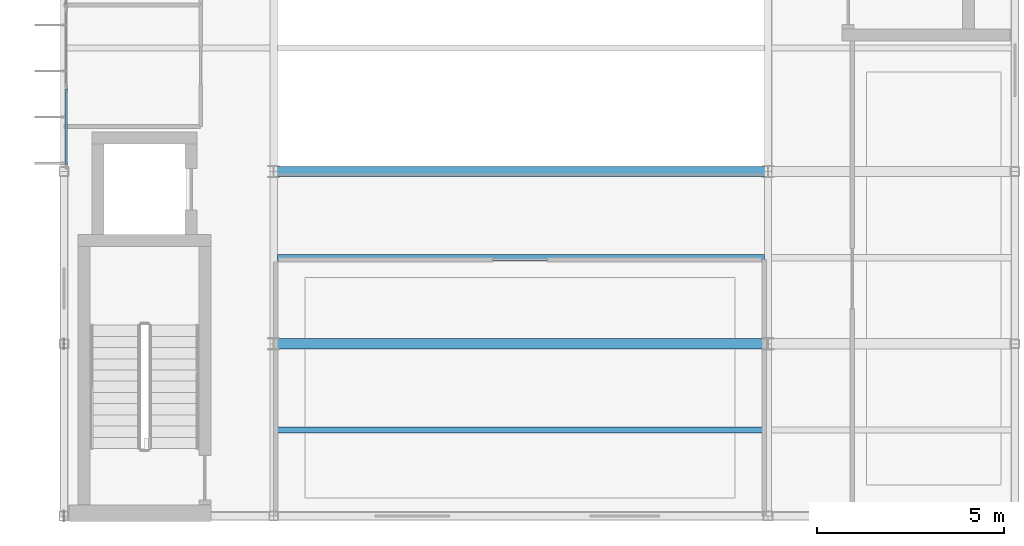
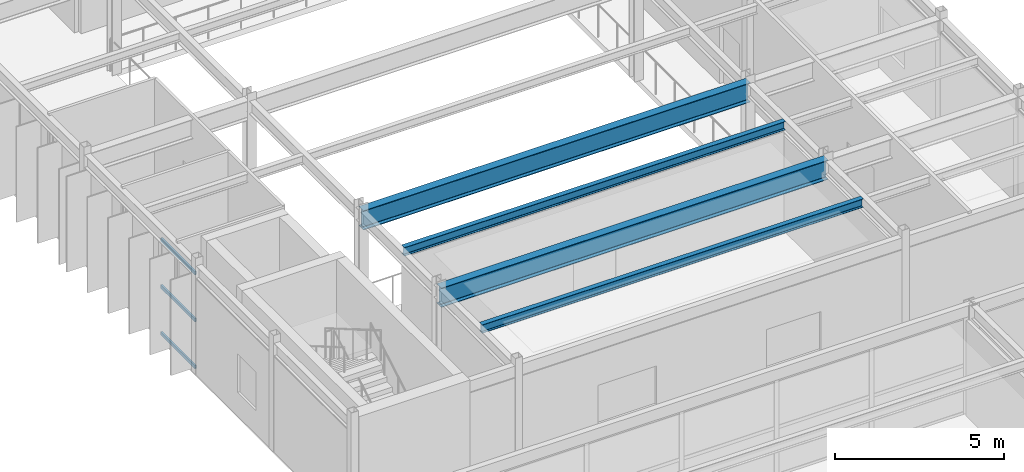
# One storey, part 33 of 147: 4 beams, 3 members, 1 element without a shape of its own.
"""IFC4 building model written with IfcOpenShell, lengths in metres."""

from ifc_helpers import new_model, si_unit, direction, frame, origin, origin_2d, place, context, subcontext, project, spatial, hollow_rectangle, i_section, extrude, material, material_profile, profile_set, type_object, element, aggregate, save


model = new_model("IFC4")

# Units and contexts
model_context = context("Model", 3, precision=1e-05, world=origin(), true_north=direction((0.0, 1.0)))
body_context = subcontext(model_context, "Body", "Model", "MODEL_VIEW")
ifc_project = project(units=[si_unit("LENGTHUNIT", "METRE"), si_unit("AREAUNIT", "SQUARE_METRE"), si_unit("VOLUMEUNIT", "CUBIC_METRE"), si_unit("PLANEANGLEUNIT", "RADIAN"), si_unit("MASSUNIT", "GRAM", prefix="KILO")], contexts=[model_context])

# Site, building, storey
site_placement = place(None, origin())
site = spatial("IfcSite", under=ifc_project, at=site_placement, CompositionType="ELEMENT")
building_placement = place(site_placement, origin())
building = spatial("IfcBuilding", under=site, at=building_placement, Name="Karori Crest Natural Sciences Institute", CompositionType="ELEMENT")
storey_placement = place(building_placement, frame((0.0, 0.0, 9.10009765625)))
storey = spatial("IfcBuildingStorey", under=building, at=storey_placement, Name="L02", CompositionType="ELEMENT", Elevation=9.10009765625)

# Beams
ifc_material_1 = material(Name="Structural steel AS/NZS 3679.1 Grade 350", Category="steel")
ifc_material_profile_1 = material_profile(ifc_material_1, i_section(OverallWidth=0.27490234375, OverallDepth=0.699951171875, WebThickness=0.010009765625, FlangeThickness=0.02001953125, FilletRadius=0.013916015625, at=origin_2d()), Name="700WB150")
ifc_profile_set_1 = profile_set([ifc_material_profile_1], Name="Structural steel AS/NZS 3679.1 Grade 350")
beam_type_1 = type_object("IfcBeamType", Name="BT-03", PredefinedType="BEAM", material=ifc_profile_set_1)
for number, where, z_axis, x_axis, name in (
    (1, (7.39990234375, 35.800048828125, 3.56982421875), (1.0, 0.0, 0.0), (0.0, 1.0, 0.0), "Beam B-1079"),
    (2, (7.39990234375, 40.39990234375, 3.56982421875), (1.0, 0.0, 0.0), (0.0, 1.0, 0.0), "Beam B-1081"),
):
    element("IfcBeam", number, at=place(storey_placement, frame(where, z_axis=z_axis, x_axis=x_axis)), inside=storey, type_object=beam_type_1, Name=name, PredefinedType="BEAM", context=body_context, shape_type="SweptSolid", body=[
        extrude(i_section(OverallWidth=0.27490234375, OverallDepth=0.699951171875, WebThickness=0.010009765625, FlangeThickness=0.02001953125, FilletRadius=0.013916015625, at=origin_2d()), origin(), (0.0, 0.0, 1.0), 13.2001953125),
    ])
ifc_material_profile_2 = material_profile(ifc_material_1, i_section(OverallWidth=0.166015625, OverallDepth=0.306884765625, WebThickness=0.006591796875, FlangeThickness=0.01171875, FilletRadius=0.010986328125, at=origin_2d()), Name="310UB46.2")
ifc_profile_set_2 = profile_set([ifc_material_profile_2], Name="Structural steel AS/NZS 3679.1 Grade 350")
beam_type_2 = type_object("IfcBeamType", Name="BT-09", PredefinedType="BEAM", material=ifc_profile_set_2)
for number, where, z_axis, x_axis, name in (
    (3, (7.49560546875, 33.5, 3.766357421875), (1.0, 0.0, 0.0), (0.0, 1.0, 0.0), "Beam B-1129"),
    (4, (7.49560546875, 38.10009765625, 3.766357421875), (1.0, 0.0, 0.0), (0.0, 1.0, 0.0), "Beam B-1130"),
):
    element("IfcBeam", number, at=place(storey_placement, frame(where, z_axis=z_axis, x_axis=x_axis)), inside=storey, type_object=beam_type_2, Name=name, PredefinedType="BEAM", context=body_context, shape_type="SweptSolid", body=[
        extrude(i_section(OverallWidth=0.166015625, OverallDepth=0.306884765625, WebThickness=0.006591796875, FlangeThickness=0.01171875, FilletRadius=0.010986328125, at=origin_2d()), origin(), (0.0, 0.0, 1.0), 13.0087890625),
    ])

# Curtain wall, members
ifc_material_2 = material(Name="Anodised architectural aluminium 6063-T6", Category="aluminium")
curtain_wall_type = type_object("IfcCurtainWallType", Name="CWT-17", PredefinedType="NOTDEFINED", material=ifc_material_2)
curtain_wall_placement = place(storey_placement, origin())
curtain_wall = element("IfcCurtainWall", 5, at=curtain_wall_placement, inside=storey, type_object=curtain_wall_type, Name="Curtain wall CW-0270", PredefinedType="NOTDEFINED")
ifc_material_profile_3 = material_profile(ifc_material_2, hollow_rectangle(XDim=0.06005859375, YDim=0.1201171875, WallThickness=0.00390625, at=origin_2d()), Name="CWT120x60x4")
ifc_profile_set_3 = profile_set([ifc_material_profile_3], Name="Anodised architectural aluminium 6063-T6")
member_type = type_object("IfcMemberType", Name="CWT-TR1", PredefinedType="USERDEFINED", material=ifc_profile_set_3)
member_1_placement = place(storey_placement, frame((1.860107421875, 40.587890625, 0.02978515625), z_axis=(0.0, 1.0, 0.0), x_axis=(-1.0, 0.0, 0.0)))
member_1 = element("IfcMember", 6, at=member_1_placement, type_object=member_type, Name="CW-0270 transom 1.1", ObjectType="TRANSOM", PredefinedType="USERDEFINED", context=body_context, shape_type="SweptSolid", body=[
    extrude(hollow_rectangle(XDim=0.06005859375, YDim=0.1201171875, WallThickness=0.00390625, at=origin_2d()), origin(), (0.0, 0.0, 1.0), 2.0205078125),
])
member_2_placement = place(storey_placement, frame((1.860107421875, 40.587890625, 1.722412109375), z_axis=(0.0, 1.0, 0.0), x_axis=(-1.0, 0.0, 0.0)))
member_2 = element("IfcMember", 7, at=member_2_placement, type_object=member_type, Name="CW-0270 transom 1.2", ObjectType="TRANSOM", PredefinedType="USERDEFINED", context=body_context, shape_type="SweptSolid", body=[
    extrude(hollow_rectangle(XDim=0.06005859375, YDim=0.1201171875, WallThickness=0.00390625, at=origin_2d()), origin(), (0.0, 0.0, 1.0), 2.0205078125),
])
member_3_placement = place(storey_placement, frame((1.860107421875, 40.587890625, 3.414794921875), z_axis=(0.0, 1.0, 0.0), x_axis=(-1.0, 0.0, 0.0)))
member_3 = element("IfcMember", 8, at=member_3_placement, type_object=member_type, Name="CW-0270 transom 1.3", ObjectType="TRANSOM", PredefinedType="USERDEFINED", context=body_context, shape_type="SweptSolid", body=[
    extrude(hollow_rectangle(XDim=0.06005859375, YDim=0.1201171875, WallThickness=0.00390625, at=origin_2d()), origin(), (0.0, 0.0, 1.0), 2.0205078125),
])
aggregate(curtain_wall, [member_1, member_2, member_3])

save(model, "model.ifc")
